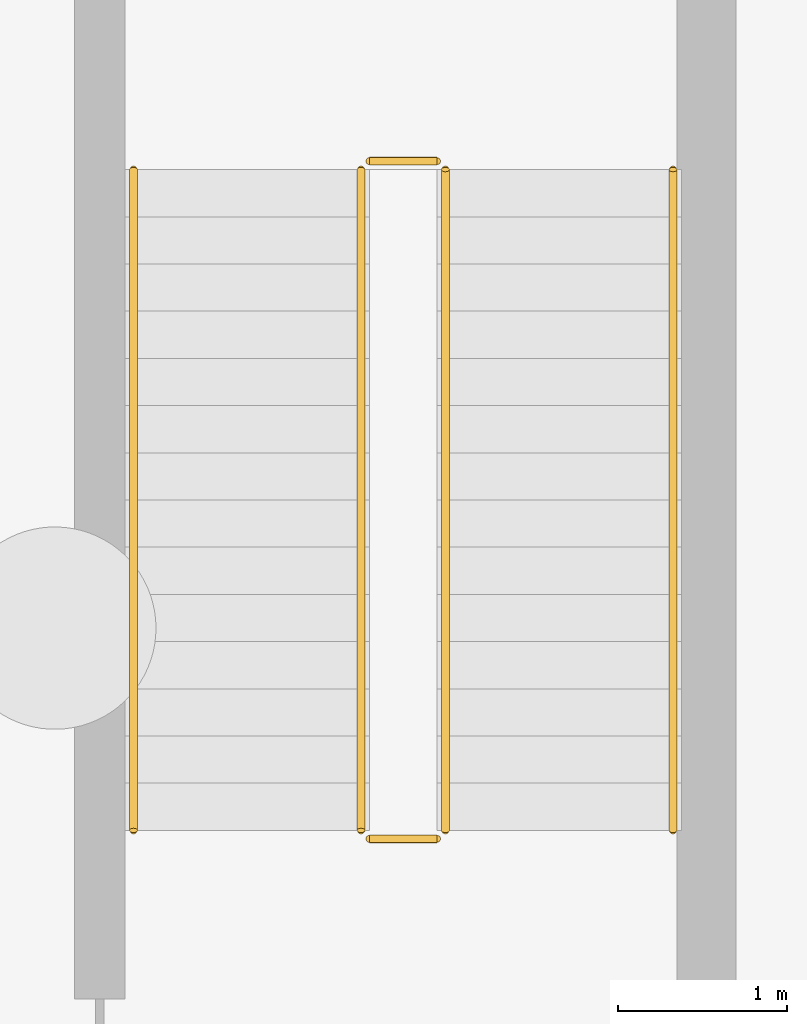
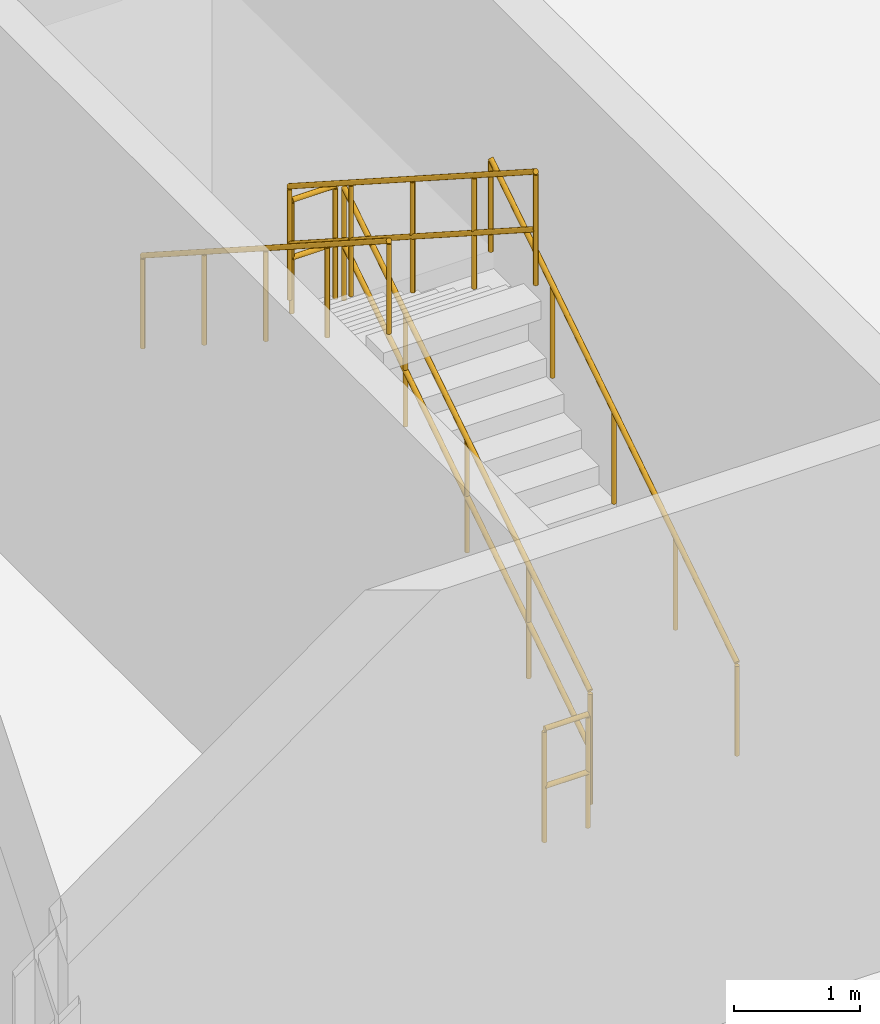
# One storey, part 34 of 36: 6 railings.
"""IFC4 building model written with IfcOpenShell, lengths in metres."""

from ifc_helpers import new_model, si_unit, direction, frame, origin, origin_2d, place, context, subcontext, project, spatial, circle, extrude, material, type_object, element, save


model = new_model("IFC4")

# Units and contexts
model_context = context("Model", 3, precision=1e-05, world=origin(), true_north=direction((0.0, 1.0)))
body_context = subcontext(model_context, "Body", "Model", "MODEL_VIEW")
ifc_project = project(units=[si_unit("LENGTHUNIT", "METRE"), si_unit("AREAUNIT", "SQUARE_METRE"), si_unit("VOLUMEUNIT", "CUBIC_METRE"), si_unit("PLANEANGLEUNIT", "RADIAN"), si_unit("MASSUNIT", "GRAM", prefix="KILO"), si_unit("THERMODYNAMICTEMPERATUREUNIT", "KELVIN"), si_unit("POWERUNIT", "WATT")], contexts=[model_context])

# Site, building, storey
site_placement = place(None, origin())
site = spatial("IfcSite", under=ifc_project, at=site_placement, CompositionType="ELEMENT")
building_placement = place(site_placement, origin())
building = spatial("IfcBuilding", under=site, at=building_placement, Name="Tembeka Court Mobility Hub", CompositionType="ELEMENT")
storey_placement = place(building_placement, frame((0.0, 0.0, -5.39990234375)))
storey = spatial("IfcBuildingStorey", under=building, at=storey_placement, Name="B1", CompositionType="ELEMENT", Elevation=-5.39990234375)

# Railings
ifc_material_1 = material(Name="Painted galvanised steel balustrade", Category="steel")
railing_type_1 = type_object("IfcRailingType", Name="RL-GR01", PredefinedType="GUARDRAIL", material=ifc_material_1)
railing_1_placement = place(storey_placement, frame((90.699951171875, 66.550048828125, 0.179931640625)))
element("IfcRailing", 1, at=railing_1_placement, inside=storey, type_object=railing_type_1, Name="B1 ST02 stair guard 1-1", PredefinedType="GUARDRAIL", context=body_context, shape_type="SweptSolid", body=[
    extrude(circle(Radius=0.02392578125, at=origin_2d()), frame((0.0, 0.0, 1.09619140625), z_axis=(0.0, 0.841171666519, 0.540768182723), x_axis=(-1.0, 0.0, 0.0)), (0.0, 0.0, 1.0), 4.66015625),
    extrude(circle(Radius=0.02392578125, at=origin_2d()), frame((0.0, 0.0, 0.5361328125), z_axis=(0.0, 0.841171666519, 0.540768182723), x_axis=(-1.0, 0.0, 0.0)), (0.0, 0.0, 1.0), 4.66015625),
    extrude(circle(Radius=0.02099609375, at=origin_2d()), origin(), (0.0, 0.0, 1.0), 1.072021484375),
    extrude(circle(Radius=0.02099609375, at=origin_2d()), frame((0.0, 0.97998046875, 0.6298828125)), (0.0, 0.0, 1.0), 1.072021484375),
    extrude(circle(Radius=0.02099609375, at=origin_2d()), frame((0.0, 1.9599609375, 1.260009765625)), (0.0, 0.0, 1.0), 1.072021484375),
    extrude(circle(Radius=0.02099609375, at=origin_2d()), frame((0.0, 2.93994140625, 1.89013671875)), (0.0, 0.0, 1.0), 1.072021484375),
    extrude(circle(Radius=0.02099609375, at=origin_2d()), frame((0.0, 3.919921875, 2.52001953125)), (0.0, 0.0, 1.0), 1.072021484375),
])
railing_2_placement = place(storey_placement, frame((90.64990234375, 70.52001953125, 2.699951171875)))
element("IfcRailing", 2, at=railing_2_placement, inside=storey, type_object=railing_type_1, Name="B1 ST02 stair guard 2-1", PredefinedType="GUARDRAIL", context=body_context, shape_type="SweptSolid", body=[
    extrude(circle(Radius=0.02392578125, at=origin_2d()), frame((0.0, 0.0, 1.09619140625), z_axis=(-1.0, 0.0, 0.0), x_axis=(0.0, -1.0, 0.0)), (0.0, 0.0, 1.0), 0.39990234375),
    extrude(circle(Radius=0.02392578125, at=origin_2d()), frame((0.0, 0.0, 0.5361328125), z_axis=(-1.0, 0.0, 0.0), x_axis=(0.0, -1.0, 0.0)), (0.0, 0.0, 1.0), 0.39990234375),
    extrude(circle(Radius=0.02099609375, at=origin_2d()), origin(), (0.0, 0.0, 1.0), 1.072021484375),
    extrude(circle(Radius=0.02099609375, at=origin_2d()), frame((-0.39990234375, 0.0, 0.0)), (0.0, 0.0, 1.0), 1.072021484375),
])
railing_3_placement = place(storey_placement, frame((90.199951171875, 70.469970703125, 2.8798828125)))
element("IfcRailing", 3, at=railing_3_placement, inside=storey, type_object=railing_type_1, Name="B1 ST02 stair guard 3-1", PredefinedType="GUARDRAIL", context=body_context, shape_type="SweptSolid", body=[
    extrude(circle(Radius=0.02392578125, at=origin_2d()), frame((0.0, 0.0, 1.09619140625), z_axis=(0.0, -0.841171666519, 0.540768182723), x_axis=(1.0, 0.0, 0.0)), (0.0, 0.0, 1.0), 4.66015625),
    extrude(circle(Radius=0.02392578125, at=origin_2d()), frame((0.0, 0.0, 0.5361328125), z_axis=(0.0, -0.841171666519, 0.540768182723), x_axis=(1.0, 0.0, 0.0)), (0.0, 0.0, 1.0), 4.66015625),
    extrude(circle(Radius=0.02099609375, at=origin_2d()), origin(), (0.0, 0.0, 1.0), 1.072021484375),
    extrude(circle(Radius=0.02099609375, at=origin_2d()), frame((0.0, -0.97998046875, 0.6298828125)), (0.0, 0.0, 1.0), 1.072021484375),
    extrude(circle(Radius=0.02099609375, at=origin_2d()), frame((0.0, -1.9599609375, 1.260009765625)), (0.0, 0.0, 1.0), 1.072021484375),
    extrude(circle(Radius=0.02099609375, at=origin_2d()), frame((0.0, -2.93994140625, 1.89013671875)), (0.0, 0.0, 1.0), 1.072021484375),
    extrude(circle(Radius=0.02099609375, at=origin_2d()), frame((0.0, -3.919921875, 2.52001953125)), (0.0, 0.0, 1.0), 1.072021484375),
])
railing_4_placement = place(storey_placement, frame((90.64990234375, 66.5, 0.0)))
element("IfcRailing", 4, at=railing_4_placement, inside=storey, type_object=railing_type_1, Name="B1 ST02 stair guard 4-1", PredefinedType="GUARDRAIL", context=body_context, shape_type="SweptSolid", body=[
    extrude(circle(Radius=0.02392578125, at=origin_2d()), frame((0.0, 0.0, 1.09619140625), z_axis=(-1.0, 0.0, 0.0), x_axis=(0.0, -1.0, 0.0)), (0.0, 0.0, 1.0), 0.39990234375),
    extrude(circle(Radius=0.02392578125, at=origin_2d()), frame((0.0, 0.0, 0.5361328125), z_axis=(-1.0, 0.0, 0.0), x_axis=(0.0, -1.0, 0.0)), (0.0, 0.0, 1.0), 0.39990234375),
    extrude(circle(Radius=0.02099609375, at=origin_2d()), origin(), (0.0, 0.0, 1.0), 1.072021484375),
    extrude(circle(Radius=0.02099609375, at=origin_2d()), frame((-0.39990234375, 0.0, 0.0)), (0.0, 0.0, 1.0), 1.072021484375),
])
ifc_material_2 = material(Name="Brushed stainless steel handrail", Category="steel")
railing_type_2 = type_object("IfcRailingType", Name="RL-HR01", PredefinedType="HANDRAIL", material=ifc_material_2)
railing_5_placement = place(storey_placement, frame((92.050048828125, 66.550048828125, 0.179931640625)))
element("IfcRailing", 5, at=railing_5_placement, inside=storey, type_object=railing_type_2, Name="B1 ST02 handrail 1-1", PredefinedType="HANDRAIL", context=body_context, shape_type="SweptSolid", body=[
    extrude(circle(Radius=0.02392578125, at=origin_2d()), frame((0.0, 0.0, 0.89599609375), z_axis=(0.0, 0.841171666519, 0.540768182723), x_axis=(-1.0, 0.0, 0.0)), (0.0, 0.0, 1.0), 4.66015625),
    extrude(circle(Radius=0.02099609375, at=origin_2d()), origin(), (0.0, 0.0, 1.0), 0.871826171875),
    extrude(circle(Radius=0.02099609375, at=origin_2d()), frame((0.0, 0.97998046875, 0.6298828125)), (0.0, 0.0, 1.0), 0.871826171875),
    extrude(circle(Radius=0.02099609375, at=origin_2d()), frame((0.0, 1.9599609375, 1.260009765625)), (0.0, 0.0, 1.0), 0.871826171875),
    extrude(circle(Radius=0.02099609375, at=origin_2d()), frame((0.0, 2.93994140625, 1.89013671875)), (0.0, 0.0, 1.0), 0.871826171875),
    extrude(circle(Radius=0.02099609375, at=origin_2d()), frame((0.0, 3.919921875, 2.52001953125)), (0.0, 0.0, 1.0), 0.871826171875),
])
railing_6_placement = place(storey_placement, frame((88.85009765625, 70.469970703125, 2.8798828125)))
element("IfcRailing", 6, at=railing_6_placement, inside=storey, type_object=railing_type_2, Name="B1 ST02 handrail 2-1", PredefinedType="HANDRAIL", context=body_context, shape_type="SweptSolid", body=[
    extrude(circle(Radius=0.02392578125, at=origin_2d()), frame((0.0, 0.0, 0.89599609375), z_axis=(0.0, -0.841171666519, 0.540768182723), x_axis=(1.0, 0.0, 0.0)), (0.0, 0.0, 1.0), 4.66015625),
    extrude(circle(Radius=0.02099609375, at=origin_2d()), origin(), (0.0, 0.0, 1.0), 0.871826171875),
    extrude(circle(Radius=0.02099609375, at=origin_2d()), frame((0.0, -0.97998046875, 0.6298828125)), (0.0, 0.0, 1.0), 0.871826171875),
    extrude(circle(Radius=0.02099609375, at=origin_2d()), frame((0.0, -1.9599609375, 1.260009765625)), (0.0, 0.0, 1.0), 0.871826171875),
    extrude(circle(Radius=0.02099609375, at=origin_2d()), frame((0.0, -2.93994140625, 1.89013671875)), (0.0, 0.0, 1.0), 0.871826171875),
    extrude(circle(Radius=0.02099609375, at=origin_2d()), frame((0.0, -3.919921875, 2.52001953125)), (0.0, 0.0, 1.0), 0.871826171875),
])

save(model, "model.ifc")
